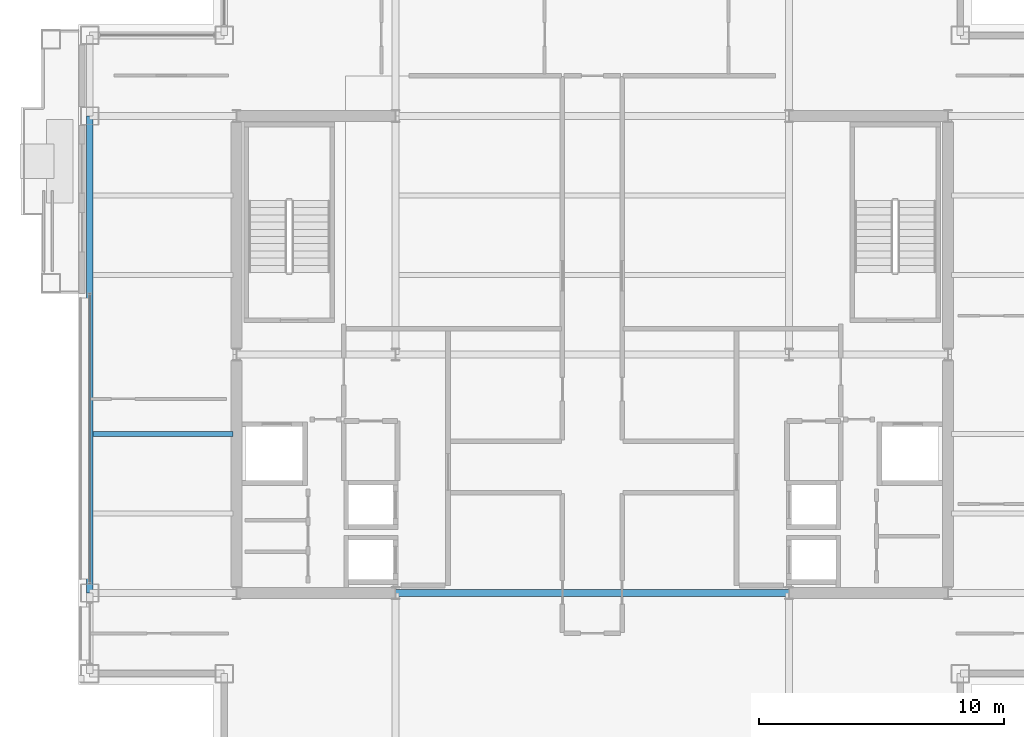
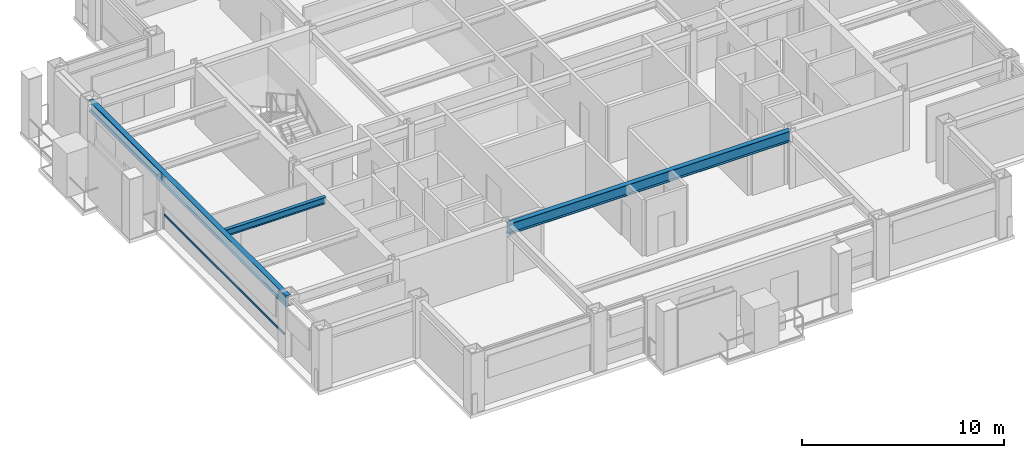
# One storey, part 8 of 30: 3 beams, 1 member, 1 element without a shape of its own.
"""IFC4 building model written with IfcOpenShell, lengths in metres."""

import ifcopenshell
import ifcopenshell.guid

model = None  # the IFC model being written
_history = None  # IfcOwnerHistory: only IFC2X3 demands one
_inside = {}  # id of a spatial element -> (the spatial element, [elements in it])
_under = {}  # id of a project, library or spatial element -> (it, [spatial elements below it])
_declared = {}  # id of a project -> (the project, [libraries it declares])
_typed = {}  # id of a type object -> (the type object, [elements of that type])
_made_of = {}  # id of a material, layer set ... -> (it, [elements and type objects made of it])


def new_model(schema):
    """Start an empty IFC model of exactly this schema.

    Asked for "IFC4X3", IfcOpenShell would pick the latest addendum, in which some entities
    have other attributes; the version numbers below select the first issue.
    IFC2X3 requires an IfcOwnerHistory on every rooted entity: one is made here for all.
    """
    global model, _history
    if schema == "IFC4X3":
        model = ifcopenshell.file(schema_version=(4, 3, 0, 0))
    else:
        model = ifcopenshell.file(schema=schema)
    _inside.clear()
    _under.clear()
    _declared.clear()
    _typed.clear()
    _made_of.clear()
    _history = None
    if model.schema == "IFC2X3":
        org = make("IfcOrganization", Name="unknown")
        user = make(
            "IfcPersonAndOrganization",
            ThePerson=make("IfcPerson", FamilyName="unknown"),
            TheOrganization=org,
        )
        app = make(
            "IfcApplication",
            ApplicationDeveloper=org,
            Version="unknown",
            ApplicationFullName="unknown",
            ApplicationIdentifier="unknown",
        )
        _history = make(
            "IfcOwnerHistory",
            OwningUser=user,
            OwningApplication=app,
            ChangeAction="ADDED",
            CreationDate=0,
        )
    return model


def make(cls, **values):
    """One entity of the class cls with the attributes given. An attribute that is None is left unset."""
    return model.create_entity(
        cls, **{name: value for name, value in values.items() if value is not None}
    )


def rooted(cls, **values):
    """An entity with a GlobalId (a new one), such as an element, a storey or a relation."""
    return make(cls, GlobalId=ifcopenshell.guid.new(), OwnerHistory=_history, **values)


def si_unit(unit_type, name, prefix=None):
    """IfcSIUnit, for example si_unit("LENGTHUNIT", "METRE", prefix="MILLI")."""
    return make("IfcSIUnit", UnitType=unit_type, Prefix=prefix, Name=name)


def assignment(units):
    """IfcUnitAssignment: the units of a project."""
    return None if units is None else make("IfcUnitAssignment", Units=units)


def point(xyz):
    """IfcCartesianPoint."""
    return None if xyz is None else make("IfcCartesianPoint", Coordinates=xyz)


def direction(xyz):
    """IfcDirection."""
    return None if xyz is None else make("IfcDirection", DirectionRatios=xyz)


def frame(location, z_axis=None, x_axis=None):
    """IfcAxis2Placement3D, a coordinate frame: its origin and axes. An axis left out is left unset."""
    return make(
        "IfcAxis2Placement3D",
        Location=point(location),
        Axis=direction(z_axis),
        RefDirection=direction(x_axis),
    )


def frame_2d(location, x_axis=None):
    """IfcAxis2Placement2D, a coordinate frame in the plane: its origin and x axis."""
    return make(
        "IfcAxis2Placement2D", Location=point(location), RefDirection=direction(x_axis)
    )


def origin():
    """The frame at (0, 0, 0) with its axes left unset."""
    return frame((0.0, 0.0, 0.0))


def origin_2d():
    """The frame at (0, 0) in the plane with its x axis left unset."""
    return frame_2d((0.0, 0.0))


def place(relative_to, where):
    """IfcLocalPlacement: puts the frame where relative to a parent placement (None: the world)."""
    return make(
        "IfcLocalPlacement", PlacementRelTo=relative_to, RelativePlacement=where
    )


def context(
    kind, dimensions, precision=None, world=None, true_north=None, identifier=None
):
    """IfcGeometricRepresentationContext, for example the 3D "Model" context."""
    return make(
        "IfcGeometricRepresentationContext",
        ContextIdentifier=identifier,
        ContextType=kind,
        CoordinateSpaceDimension=dimensions,
        Precision=precision,
        WorldCoordinateSystem=world,
        TrueNorth=true_north,
    )


def subcontext(parent, identifier, kind, view, scale=None):
    """IfcGeometricRepresentationSubContext, for example "Body" below "Model"."""
    return make(
        "IfcGeometricRepresentationSubContext",
        ContextIdentifier=identifier,
        ContextType=kind,
        ParentContext=parent,
        TargetScale=scale,
        TargetView=view,
    )


def project(units=None, contexts=None):
    """IfcProject with its units and contexts."""
    return rooted(
        "IfcProject",
        Name="project",
        RepresentationContexts=contexts,
        UnitsInContext=assignment(units),
    )


def spatial(cls, under=None, at=None, **own):
    """A site, building, storey or space (cls), placed at a placement, below another one or the project."""
    s = rooted(cls, ObjectPlacement=at, **own)
    if under is not None:
        _under.setdefault(under.id(), (under, []))[1].append(s)
    return s


def profile(cls, at=None, kind="AREA", **sizes):
    """A parametric profile (cls). Its sizes go by their IFC names, for example OverallWidth=200.0."""
    return make(cls, ProfileType=kind, Position=at, **sizes)


def hollow_rectangle(**sizes):
    """IfcRectangleHollowProfileDef."""
    return profile("IfcRectangleHollowProfileDef", **sizes)


def i_section(**sizes):
    """IfcIShapeProfileDef."""
    return profile("IfcIShapeProfileDef", **sizes)


def extrude(swept, where, along, depth):
    """IfcExtrudedAreaSolid: the profile swept, set in the frame where, extruded along a direction by depth."""
    return make(
        "IfcExtrudedAreaSolid",
        SweptArea=swept,
        Position=where,
        ExtrudedDirection=direction(along),
        Depth=depth,
    )


def shape(context_of_items, identifier, shape_type, items):
    """IfcShapeRepresentation: the items that make up one representation, for example the "Body"."""
    return make(
        "IfcShapeRepresentation",
        ContextOfItems=context_of_items,
        RepresentationIdentifier=identifier,
        RepresentationType=shape_type,
        Items=items,
    )


def material(Name=None, Category=None):
    """IfcMaterial."""
    return make("IfcMaterial", Name=Name, Category=Category)


def layer(
    of_material, thickness, ventilated=None, Name=None, Category=None, Priority=None
):
    """IfcMaterialLayer: one layer of a wall or slab, of a material (None: an air gap)."""
    return make(
        "IfcMaterialLayer",
        Material=of_material,
        LayerThickness=thickness,
        IsVentilated=ventilated,
        Name=Name,
        Category=Category,
        Priority=Priority,
    )


def layer_set(layers, Name=None):
    """IfcMaterialLayerSet."""
    return make("IfcMaterialLayerSet", MaterialLayers=layers, LayerSetName=Name)


def material_profile(
    of_material, cross_section, Name=None, Category=None, Priority=None
):
    """IfcMaterialProfile: a cross section and its material."""
    return make(
        "IfcMaterialProfile",
        Name=Name,
        Material=of_material,
        Profile=cross_section,
        Priority=Priority,
        Category=Category,
    )


def profile_set(profiles, Name=None, composite=None):
    """IfcMaterialProfileSet."""
    return make(
        "IfcMaterialProfileSet",
        Name=Name,
        MaterialProfiles=profiles,
        CompositeProfile=composite,
    )


def made_of(thing, what):
    """Note that an element or type object is made of a material, layer set ...; save() writes the relation."""
    if what is not None:
        _made_of.setdefault(what.id(), (what, []))[1].append(thing)
    return thing


def type_object(cls, material=None, **own):
    """A type object (cls), such as IfcWallType, which elements share."""
    return made_of(rooted(cls, **own), material)


def element(
    cls,
    number,
    at=None,
    inside=None,
    cuts=None,
    type_object=None,
    material=None,
    context=None,
    identifier="Body",
    shape_type=None,
    held_by="IfcProductDefinitionShape",
    body=None,
    shapes=None,
    **own,
):
    """One element of the class cls, such as IfcWall. Its Tag is "e" and its number.

    at: its placement. inside: the storey or other place that contains it. cuts: it is an
    opening in that element (IfcRelVoidsElement). A single representation is given by context,
    identifier, shape_type and body (its items); several are given by shapes. held_by: the class
    of the entity that holds the representations. save() writes the other relations.
    """
    e = rooted(cls, Tag="e%d" % number, ObjectPlacement=at, **own)
    if body is not None:
        shapes = [shape(context, identifier, shape_type, body)]
    if shapes is not None:
        e.Representation = make(held_by, Representations=shapes)
    if inside is not None:
        _inside.setdefault(inside.id(), (inside, []))[1].append(e)
    if cuts is not None:
        rooted(
            "IfcRelVoidsElement", RelatingBuildingElement=cuts, RelatedOpeningElement=e
        )
    if type_object is not None:
        _typed.setdefault(type_object.id(), (type_object, []))[1].append(e)
    return made_of(e, material)


def aggregate(whole, parts):
    """IfcRelAggregates: a whole, such as a stair, and the parts it consists of."""
    return rooted("IfcRelAggregates", RelatingObject=whole, RelatedObjects=parts)


def save(model, path):
    """Write the relations noted so far, then the file.

    IfcRelAggregates (storeys below a building ...), IfcRelContainedInSpatialStructure (elements
    in a storey), IfcRelDefinesByType, IfcRelAssociatesMaterial and IfcRelDeclares: one each for
    every whole, place, type object, material and project.
    """
    for whole, parts in _under.values():
        aggregate(whole, parts)
    for where, things in _inside.values():
        rooted(
            "IfcRelContainedInSpatialStructure",
            RelatedElements=things,
            RelatingStructure=where,
        )
    for kind, things in _typed.values():
        rooted("IfcRelDefinesByType", RelatedObjects=things, RelatingType=kind)
    for what, things in _made_of.values():
        rooted("IfcRelAssociatesMaterial", RelatedObjects=things, RelatingMaterial=what)
    for by, libraries in _declared.values():
        rooted("IfcRelDeclares", RelatingContext=by, RelatedDefinitions=libraries)
    model.write(path)


model = new_model("IFC4")

# Units and contexts
model_context = context("Model", 3, precision=1e-05, world=origin(), true_north=direction((0.0, 1.0)))
body_context = subcontext(model_context, "Body", "Model", "MODEL_VIEW")
ifc_project = project(units=[si_unit("LENGTHUNIT", "METRE"), si_unit("AREAUNIT", "SQUARE_METRE"), si_unit("VOLUMEUNIT", "CUBIC_METRE"), si_unit("PLANEANGLEUNIT", "RADIAN"), si_unit("MASSUNIT", "GRAM", prefix="KILO")], contexts=[model_context])

# Site, building, storey
site_placement = place(None, origin())
site = spatial("IfcSite", under=ifc_project, at=site_placement, CompositionType="ELEMENT")
building_placement = place(site_placement, origin())
building = spatial("IfcBuilding", under=site, at=building_placement, Name="Brelmoor Portico Tower", CompositionType="ELEMENT")
storey_placement = place(building_placement, frame((0.0, 0.0, 169.5)))
storey = spatial("IfcBuildingStorey", under=building, at=storey_placement, Name="L44", CompositionType="ELEMENT", Elevation=169.5)

# Beams
ifc_material_1 = material(Name="Steel Q355B", Category="steel")
ifc_material_profile_1 = material_profile(ifc_material_1, i_section(OverallWidth=0.199951171875, OverallDepth=0.39990234375, WebThickness=0.008056640625, FlangeThickness=0.012939453125, at=origin_2d()), Name="HN 400x200x8x13")
ifc_profile_set_1 = profile_set([ifc_material_profile_1], Name="Steel Q355B")
beam_type_1 = type_object("IfcBeamType", Name="BM-JS-400", PredefinedType="JOIST", material=ifc_profile_set_1)
beam_1_placement = place(storey_placement, frame((-20.409912109375, -3.25, 3.199951171875), z_axis=(1.0, 0.0, 0.0), x_axis=(0.0, 1.0, 0.0)))
element("IfcBeam", 1, at=beam_1_placement, inside=storey, type_object=beam_type_1, Name="L44 Secondary Wing Joist JS-W06", PredefinedType="JOIST", context=body_context, shape_type="SweptSolid", body=[
    extrude(i_section(OverallWidth=0.199951171875, OverallDepth=0.39990234375, WebThickness=0.008056640625, FlangeThickness=0.012939453125, at=origin_2d()), origin(), (0.0, 0.0, 1.0), 5.719970703125),
])
ifc_material_profile_2 = material_profile(ifc_material_1, i_section(OverallWidth=0.280029296875, OverallDepth=0.64990234375, WebThickness=0.012939453125, FlangeThickness=0.02197265625, at=origin_2d()), Name="HN 650x280x13x22")
ifc_profile_set_2 = profile_set([ifc_material_profile_2], Name="Steel Q355B")
beam_type_2 = type_object("IfcBeamType", Name="BM-PG-650", PredefinedType="BEAM", material=ifc_profile_set_2)
beam_2_placement = place(storey_placement, frame((-8.050048828125, -9.75, 3.074951171875), z_axis=(1.0, 0.0, 0.0), x_axis=(0.0, 1.0, 0.0)))
element("IfcBeam", 2, at=beam_2_placement, inside=storey, type_object=beam_type_2, Name="L44 Primary Floor Girder PG-13", PredefinedType="BEAM", context=body_context, shape_type="SweptSolid", body=[
    extrude(i_section(OverallWidth=0.280029296875, OverallDepth=0.64990234375, WebThickness=0.012939453125, FlangeThickness=0.02197265625, at=origin_2d()), origin(), (0.0, 0.0, 1.0), 16.10009765625),
])
ifc_material_profile_3 = material_profile(ifc_material_1, i_section(OverallWidth=0.280029296875, OverallDepth=0.64990234375, WebThickness=0.012939453125, FlangeThickness=0.02197265625, at=origin_2d()), Name="HN 650x280x13x22")
ifc_profile_set_3 = profile_set([ifc_material_profile_3], Name="Steel Q355B")
beam_type_3 = type_object("IfcBeamType", Name="BM-SP-650", PredefinedType="SPANDREL", material=ifc_profile_set_3)
beam_3_placement = place(storey_placement, frame((-20.550048828125, -9.75, 3.074951171875), z_axis=(0.0, 1.0, 0.0), x_axis=(-1.0, 0.0, 0.0)))
element("IfcBeam", 3, at=beam_3_placement, inside=storey, type_object=beam_type_3, Name="L44 Perimeter Spandrel Beam SP-12", PredefinedType="SPANDREL", context=body_context, shape_type="SweptSolid", body=[
    extrude(i_section(OverallWidth=0.280029296875, OverallDepth=0.64990234375, WebThickness=0.012939453125, FlangeThickness=0.02197265625, at=origin_2d()), origin(), (0.0, 0.0, 1.0), 19.5),
])

# Curtain wall, member
ifc_material_2 = material(Name="Anodised Aluminium Alloy 6063-T6", Category="aluminium")
ifc_layer = layer(ifc_material_2, 0.179931640625)
ifc_layer_set = layer_set([ifc_layer], Name="Anodised Aluminium Alloy 6063-T6")
curtain_wall_type = type_object("IfcCurtainWallType", Name="CW-TOWER-Z3", PredefinedType="NOTDEFINED", material=ifc_layer_set)
curtain_wall_placement = place(storey_placement, origin())
curtain_wall = element("IfcCurtainWall", 4, at=curtain_wall_placement, inside=storey, type_object=curtain_wall_type, Name="L44 Curtain Wall CW-L44-3L-2", PredefinedType="NOTDEFINED")
ifc_material_profile_4 = material_profile(ifc_material_2, hollow_rectangle(XDim=0.06005859375, YDim=0.125, WallThickness=0.00341796875, at=origin_2d()), Name="ALU TRANSOM 60x125")
ifc_profile_set_4 = profile_set([ifc_material_profile_4], Name="Anodised Aluminium Alloy 6063-T6")
member_type = type_object("IfcMemberType", Name="MB-CW-TRAN-125", PredefinedType="USERDEFINED", material=ifc_profile_set_4)
member_placement = place(storey_placement, frame((-20.550048828125, -9.364990234375, 0.85009765625), z_axis=(0.0, 1.0, 0.0), x_axis=(-1.0, 0.0, 0.0)))
member = element("IfcMember", 5, at=member_placement, type_object=member_type, Name="CW-L44-3L-2 Transom 1-00", ObjectType="TRANSOM", PredefinedType="USERDEFINED", context=body_context, shape_type="SweptSolid", body=[
    extrude(hollow_rectangle(XDim=0.06005859375, YDim=0.125, WallThickness=0.00341796875, at=origin_2d()), origin(), (0.0, 0.0, 1.0), 11.864990234375),
])
aggregate(curtain_wall, [member])

save(model, "model.ifc")
